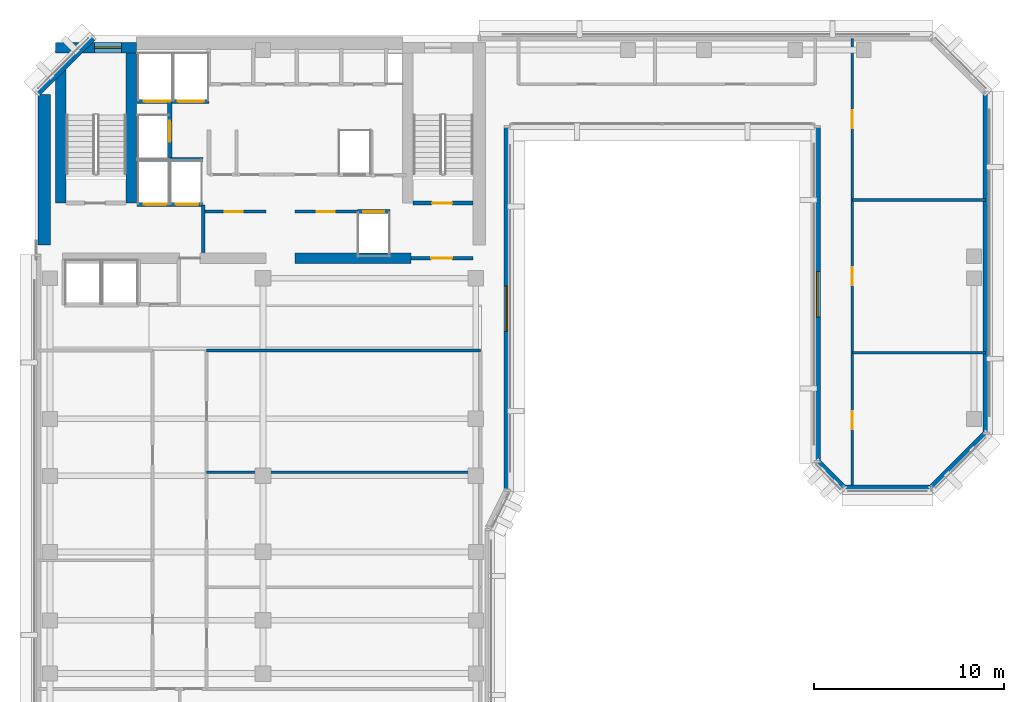
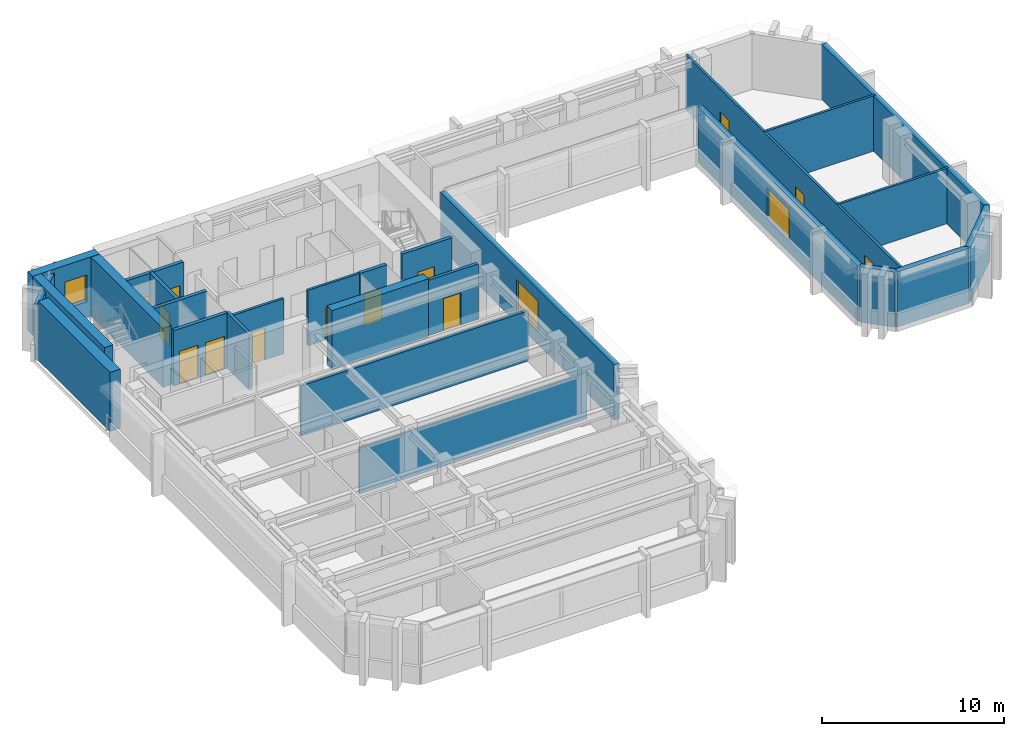
# One storey, part 6 of 11: 27 walls, 13 doors, 3 windows, 16 openings.
"""IFC4 building model written with IfcOpenShell, lengths in metres."""

from ifc_helpers import new_model, si_unit, direction, frame, frame_2d, origin, place, context, subcontext, project, spatial, rectangle, extrude, material, layer, layer_set, type_object, element, fill, save


model = new_model("IFC4")

# Units and contexts
model_context = context("Model", 3, precision=1e-05, world=origin(), true_north=direction((0.0, 1.0)))
body_context = subcontext(model_context, "Body", "Model", "MODEL_VIEW")
ifc_project = project(units=[si_unit("LENGTHUNIT", "METRE"), si_unit("AREAUNIT", "SQUARE_METRE"), si_unit("VOLUMEUNIT", "CUBIC_METRE"), si_unit("PLANEANGLEUNIT", "RADIAN"), si_unit("MASSUNIT", "GRAM", prefix="KILO")], contexts=[model_context])

# Site, building, storey
site_placement = place(None, origin())
site = spatial("IfcSite", under=ifc_project, at=site_placement, CompositionType="ELEMENT")
building_placement = place(site_placement, origin())
building = spatial("IfcBuilding", under=site, at=building_placement, Name="Kefirva Bronze Tower", CompositionType="ELEMENT")
storey_placement = place(building_placement, frame((0.0, 0.0, 243.5400390625)))
storey = spatial("IfcBuildingStorey", under=building, at=storey_placement, Name="L59", CompositionType="ELEMENT", Elevation=243.5400390625)

# Wall
ifc_material_1 = material(Name="Gypsum acoustic partition")
ifc_layer_1 = layer(ifc_material_1, 0.1298828125, Name="Gypsum acoustic partition")
ifc_layer_set_1 = layer_set([ifc_layer_1], Name="Gypsum acoustic partition")
wall_type_1 = type_object("IfcWallType", Name="Acoustic Office Partition 130mm", PredefinedType="PARTITIONING", material=ifc_layer_set_1)
wall_1_placement = place(storey_placement, frame((9.0400390625, 22.991943359375, 0.0), z_axis=(0.0, 0.0, 1.0), x_axis=(1.0, 0.0, 0.0)))
element("IfcWall", 1, at=wall_1_placement, inside=storey, type_object=wall_type_1, Name="L59 Partition W-L59-SED2", PredefinedType="PARTITIONING", context=body_context, shape_type="SweptSolid", body=[
    extrude(rectangle(XDim=14.409912109375, YDim=0.1298828125, at=frame_2d((7.205078125, 0.0))), origin(), (0.0, 0.0, 1.0), 3.094970703125),
])

# Wall, opening, door
ifc_layer_2 = layer(ifc_material_1, 0.14990234375, Name="Gypsum acoustic partition")
ifc_layer_set_2 = layer_set([ifc_layer_2], Name="Gypsum acoustic partition")
wall_type_2 = type_object("IfcWallType", Name="Executive Suite Partition 150mm", PredefinedType="PARTITIONING", material=ifc_layer_set_2)
wall_2_placement = place(storey_placement, frame((13.679931640625, 36.699951171875, 0.0), z_axis=(0.0, 0.0, 1.0), x_axis=(1.0, 0.0, 0.0)))
wall_2 = element("IfcWall", 2, at=wall_2_placement, inside=storey, type_object=wall_type_2, Name="L59 Partition W-L59-RECMP1", PredefinedType="PARTITIONING", context=body_context, shape_type="SweptSolid", body=[
    extrude(rectangle(XDim=3.280029296875, YDim=0.14990234375, at=frame_2d((1.64013671875, 0.0))), origin(), (0.0, 0.0, 1.0), 3.7099609375),
])
opening_1_placement = place(wall_2_placement, frame((1.14990234375, 0.0, 0.0)))
opening_1 = element("IfcOpeningElement", 3, at=opening_1_placement, cuts=wall_2, Name="Opening L59-D-RECMP1", PredefinedType="OPENING", context=body_context, shape_type="SweptSolid", body=[
    extrude(rectangle(XDim=0.949951171875, YDim=2.14990234375, at=frame_2d((0.47509765625, 1.074951171875))), frame((0.0, 0.0849609375, 0.0), z_axis=(0.0, -1.0, 0.0), x_axis=(1.0, 0.0, 0.0)), (0.0, 0.0, 1.0), 0.169921875),
])
ifc_material_2 = material(Name="Acoustic hardwood oak", Category="wood")
door_type_1 = type_object("IfcDoorType", Name="Office & Meeting Room Door 950x2150", OperationType="NOTDEFINED", PredefinedType="DOOR", material=ifc_material_2)
door_1_placement = place(opening_1_placement, origin())
door_1 = element("IfcDoor", 4, at=door_1_placement, inside=storey, type_object=door_type_1, Name="Door L59-D-RECMP1", OperationType="SINGLE_SWING_RIGHT", OverallHeight=2.14990234375, OverallWidth=0.949951171875, PredefinedType="DOOR", context=body_context, shape_type="SweptSolid", body=[
    extrude(rectangle(XDim=0.949951171875, YDim=2.14990234375, at=frame_2d((0.47509765625, 1.074951171875))), frame((0.0, 0.02490234375, 0.0), z_axis=(0.0, -1.0, 0.0), x_axis=(1.0, 0.0, 0.0)), (0.0, 0.0, 1.0), 0.050048828125),
])
fill(opening_1, door_1)

# Wall, openings, doors
wall_3_placement = place(storey_placement, frame((43.0, 22.18994140625, 0.0), z_axis=(0.0, 0.0, 1.0), x_axis=(0.0, 1.0, 0.0)))
wall_3 = element("IfcWall", 5, at=wall_3_placement, inside=storey, type_object=wall_type_2, Name="L59 Partition W-L59-PVEST", PredefinedType="PARTITIONING", context=body_context, shape_type="SweptSolid", body=[
    extrude(rectangle(XDim=23.6201171875, YDim=0.14990234375, at=frame_2d((11.81005859375, 0.0))), origin(), (0.0, 0.0, 1.0), 3.7099609375),
])
opening_2_placement = place(wall_3_placement, frame((3.068115234375, 0.0, 0.0)))
opening_2 = element("IfcOpeningElement", 6, at=opening_2_placement, cuts=wall_3, Name="Opening L59-D-EPV1", PredefinedType="OPENING", context=body_context, shape_type="SweptSolid", body=[
    extrude(rectangle(XDim=0.949951171875, YDim=2.14990234375, at=frame_2d((0.47509765625, 1.074951171875))), frame((0.0, 0.0849609375, 0.0), z_axis=(0.0, -1.0, 0.0), x_axis=(1.0, 0.0, 0.0)), (0.0, 0.0, 1.0), 0.169921875),
])
opening_3_placement = place(wall_3_placement, frame((10.62646484375, 0.0, 0.0)))
opening_3 = element("IfcOpeningElement", 7, at=opening_3_placement, cuts=wall_3, Name="Opening L59-D-EPV2", PredefinedType="OPENING", context=body_context, shape_type="SweptSolid", body=[
    extrude(rectangle(XDim=0.949951171875, YDim=2.14990234375, at=frame_2d((0.47509765625, 1.074951171875))), frame((0.0, 0.0849609375, 0.0), z_axis=(0.0, -1.0, 0.0), x_axis=(1.0, 0.0, 0.0)), (0.0, 0.0, 1.0), 0.169921875),
])
opening_4_placement = place(wall_3_placement, frame((18.893310546875, 0.0, 0.0)))
opening_4 = element("IfcOpeningElement", 8, at=opening_4_placement, cuts=wall_3, Name="Opening L59-D-EPV3", PredefinedType="OPENING", context=body_context, shape_type="SweptSolid", body=[
    extrude(rectangle(XDim=0.949951171875, YDim=2.14990234375, at=frame_2d((0.47509765625, 1.074951171875))), frame((0.0, 0.0849609375, 0.0), z_axis=(0.0, -1.0, 0.0), x_axis=(1.0, 0.0, 0.0)), (0.0, 0.0, 1.0), 0.169921875),
])
door_2_placement = place(opening_2_placement, origin())
door_2 = element("IfcDoor", 9, at=door_2_placement, inside=storey, type_object=door_type_1, Name="Door L59-D-EPV1", OperationType="SINGLE_SWING_LEFT", OverallHeight=2.14990234375, OverallWidth=0.949951171875, PredefinedType="DOOR", context=body_context, shape_type="SweptSolid", body=[
    extrude(rectangle(XDim=0.949951171875, YDim=2.14990234375, at=frame_2d((0.47509765625, 1.074951171875))), frame((0.0, 0.02490234375, 0.0), z_axis=(0.0, -1.0, 0.0), x_axis=(1.0, 0.0, 0.0)), (0.0, 0.0, 1.0), 0.050048828125),
])
fill(opening_2, door_2)
door_3_placement = place(opening_3_placement, origin())
door_3 = element("IfcDoor", 10, at=door_3_placement, inside=storey, type_object=door_type_1, Name="Door L59-D-EPV2", OperationType="SINGLE_SWING_RIGHT", OverallHeight=2.14990234375, OverallWidth=0.949951171875, PredefinedType="DOOR", context=body_context, shape_type="SweptSolid", body=[
    extrude(rectangle(XDim=0.949951171875, YDim=2.14990234375, at=frame_2d((0.47509765625, 1.074951171875))), frame((0.0, 0.02490234375, 0.0), z_axis=(0.0, -1.0, 0.0), x_axis=(1.0, 0.0, 0.0)), (0.0, 0.0, 1.0), 0.050048828125),
])
fill(opening_3, door_3)
door_4_placement = place(opening_4_placement, origin())
door_4 = element("IfcDoor", 11, at=door_4_placement, inside=storey, type_object=door_type_1, Name="Door L59-D-EPV3", OperationType="SINGLE_SWING_LEFT", OverallHeight=2.14990234375, OverallWidth=0.949951171875, PredefinedType="DOOR", context=body_context, shape_type="SweptSolid", body=[
    extrude(rectangle(XDim=0.949951171875, YDim=2.14990234375, at=frame_2d((0.47509765625, 1.074951171875))), frame((0.0, 0.02490234375, 0.0), z_axis=(0.0, -1.0, 0.0), x_axis=(1.0, 0.0, 0.0)), (0.0, 0.0, 1.0), 0.050048828125),
])
fill(opening_4, door_4)

# Walls
for number, where, z_axis, x_axis, name in (
    (12, (43.0, 29.27587890625, 0.0), (0.0, 0.0, 1.0), (1.0, 0.0, 0.0), "L59 Partition W-L59-EPVD1"),
    (13, (43.0, 37.306884765625, 0.0), (0.0, 0.0, 1.0), (1.0, 0.0, 0.0), "L59 Partition W-L59-EPVD2"),
):
    element("IfcWall", number, at=place(storey_placement, frame(where, z_axis=z_axis, x_axis=x_axis)), inside=storey, type_object=wall_type_2, Name=name, PredefinedType="PARTITIONING", context=body_context, shape_type="SweptSolid", body=[
        extrude(rectangle(XDim=7.010009765625, YDim=0.14990234375, at=frame_2d((3.5048828125, 0.0))), origin(), (0.0, 0.0, 1.0), 3.7099609375),
    ])

# Wall, opening, door
ifc_material_3 = material(Name="Gypsum fireboard shaftwall")
ifc_layer_3 = layer(ifc_material_3, 0.219970703125, Name="Gypsum fireboard shaftwall")
ifc_layer_set_3 = layer_set([ifc_layer_3], Name="Gypsum fireboard shaftwall")
wall_type_3 = type_object("IfcWallType", Name="Fire-Rated Shaft Enclosure Wall 220mm", PredefinedType="PARTITIONING", material=ifc_layer_set_3)
wall_4_placement = place(storey_placement, frame((19.89990234375, 37.14990234375, 0.0), z_axis=(0.0, 0.0, 1.0), x_axis=(1.0, 0.0, 0.0)))
wall_4 = element("IfcWall", 14, at=wall_4_placement, inside=storey, type_object=wall_type_3, Name="L59 Partition W-L59-ST2S", PredefinedType="PARTITIONING", context=body_context, shape_type="SweptSolid", body=[
    extrude(rectangle(XDim=3.150146484375, YDim=0.219970703125, at=frame_2d((1.5751953125, 0.0))), origin(), (0.0, 0.0, 1.0), 3.7099609375),
])
opening_5_placement = place(wall_4_placement, frame((2.050048828125, 0.0, 0.0), z_axis=(0.0, 0.0, 1.0), x_axis=(-1.0, 0.0, 0.0)))
opening_5 = element("IfcOpeningElement", 15, at=opening_5_placement, cuts=wall_4, Name="Opening L59-D003", PredefinedType="OPENING", context=body_context, shape_type="SweptSolid", body=[
    extrude(rectangle(XDim=1.050048828125, YDim=2.14990234375, at=frame_2d((0.52490234375, 1.074951171875))), frame((0.0, 0.1201171875, 0.0), z_axis=(0.0, -1.0, 0.0), x_axis=(1.0, 0.0, 0.0)), (0.0, 0.0, 1.0), 0.239990234375),
])
ifc_material_4 = material(Name="Painted galvanized steel", Category="steel")
door_type_2 = type_object("IfcDoorType", Name="Fire Stair Enclosure Door 1050x2150 FD90S", OperationType="NOTDEFINED", PredefinedType="DOOR", material=ifc_material_4)
door_5_placement = place(opening_5_placement, origin())
door_5 = element("IfcDoor", 16, at=door_5_placement, inside=storey, type_object=door_type_2, Name="Door L59-D003", OperationType="SINGLE_SWING_LEFT", OverallHeight=2.14990234375, OverallWidth=1.050048828125, PredefinedType="DOOR", context=body_context, shape_type="SweptSolid", body=[
    extrude(rectangle(XDim=1.050048828125, YDim=2.14990234375, at=frame_2d((0.52490234375, 1.074951171875))), frame((0.0, 0.02490234375, 0.0), z_axis=(0.0, -1.0, 0.0), x_axis=(1.0, 0.0, 0.0)), (0.0, 0.0, 1.0), 0.050048828125),
])
fill(opening_5, door_5)

# Wall, openings, doors
wall_5_placement = place(storey_placement, frame((5.3798828125, 37.080078125, 0.0), z_axis=(0.0, 0.0, 1.0), x_axis=(1.0, 0.0, 0.0)))
wall_5 = element("IfcWall", 17, at=wall_5_placement, inside=storey, type_object=wall_type_3, Name="L59 Partition W-L59-FFS", PredefinedType="PARTITIONING", context=body_context, shape_type="SweptSolid", body=[
    extrude(rectangle(XDim=3.460205078125, YDim=0.219970703125, at=frame_2d((1.72998046875, 0.0))), origin(), (0.0, 0.0, 1.0), 3.7099609375),
])
opening_6_placement = place(wall_5_placement, frame((1.550048828125, 0.0, 0.0), z_axis=(0.0, 0.0, 1.0), x_axis=(-1.0, 0.0, 0.0)))
opening_6 = element("IfcOpeningElement", 18, at=opening_6_placement, cuts=wall_5, Name="Opening L59-LD-FF1", PredefinedType="OPENING", context=body_context, shape_type="SweptSolid", body=[
    extrude(rectangle(XDim=1.199951171875, YDim=2.199951171875, at=frame_2d((0.60009765625, 1.10009765625))), frame((0.0, 0.1201171875, 0.0), z_axis=(0.0, -1.0, 0.0), x_axis=(1.0, 0.0, 0.0)), (0.0, 0.0, 1.0), 0.239990234375),
])
opening_7_placement = place(wall_5_placement, frame((3.219970703125, 0.0, 0.0), z_axis=(0.0, 0.0, 1.0), x_axis=(-1.0, 0.0, 0.0)))
opening_7 = element("IfcOpeningElement", 19, at=opening_7_placement, cuts=wall_5, Name="Opening L59-LD-FF2", PredefinedType="OPENING", context=body_context, shape_type="SweptSolid", body=[
    extrude(rectangle(XDim=1.199951171875, YDim=2.199951171875, at=frame_2d((0.60009765625, 1.10009765625))), frame((0.0, 0.1201171875, 0.0), z_axis=(0.0, -1.0, 0.0), x_axis=(1.0, 0.0, 0.0)), (0.0, 0.0, 1.0), 0.239990234375),
])
ifc_material_5 = material(Name="Stainless steel 316", Category="steel")
door_type_3 = type_object("IfcDoorType", Name="Firefighting Lift Sliding Door 1200x2200", OperationType="SLIDING_TO_RIGHT", PredefinedType="DOOR", material=ifc_material_5)
door_6_placement = place(opening_6_placement, origin())
door_6 = element("IfcDoor", 20, at=door_6_placement, inside=storey, type_object=door_type_3, Name="Door L59-LD-FF1", OperationType="SLIDING_TO_RIGHT", OverallHeight=2.199951171875, OverallWidth=1.199951171875, PredefinedType="DOOR", context=body_context, shape_type="SweptSolid", body=[
    extrude(rectangle(XDim=1.199951171875, YDim=2.199951171875, at=frame_2d((0.60009765625, 1.10009765625))), frame((0.0, 0.02490234375, 0.0), z_axis=(0.0, -1.0, 0.0), x_axis=(1.0, 0.0, 0.0)), (0.0, 0.0, 1.0), 0.050048828125),
])
fill(opening_6, door_6)
door_7_placement = place(opening_7_placement, origin())
door_7 = element("IfcDoor", 21, at=door_7_placement, inside=storey, type_object=door_type_3, Name="Door L59-LD-FF2", OperationType="SLIDING_TO_RIGHT", OverallHeight=2.199951171875, OverallWidth=1.199951171875, PredefinedType="DOOR", context=body_context, shape_type="SweptSolid", body=[
    extrude(rectangle(XDim=1.199951171875, YDim=2.199951171875, at=frame_2d((0.60009765625, 1.10009765625))), frame((0.0, 0.02490234375, 0.0), z_axis=(0.0, -1.0, 0.0), x_axis=(1.0, 0.0, 0.0)), (0.0, 0.0, 1.0), 0.050048828125),
])
fill(opening_7, door_7)

# Wall
wall_6_placement = place(storey_placement, frame((5.3798828125, 39.449951171875, 0.0), z_axis=(0.0, 0.0, 1.0), x_axis=(1.0, 0.0, 0.0)))
element("IfcWall", 22, at=wall_6_placement, inside=storey, type_object=wall_type_3, Name="L59 Partition W-L59-FFN", PredefinedType="PARTITIONING", context=body_context, shape_type="SweptSolid", body=[
    extrude(rectangle(XDim=3.460205078125, YDim=0.219970703125, at=frame_2d((1.72998046875, 0.0))), origin(), (0.0, 0.0, 1.0), 3.7099609375),
])

# Wall, openings, doors
wall_7_placement = place(storey_placement, frame((5.3798828125, 42.5, 0.0), z_axis=(0.0, 0.0, 1.0), x_axis=(1.0, 0.0, 0.0)))
wall_7 = element("IfcWall", 23, at=wall_7_placement, inside=storey, type_object=wall_type_3, Name="L59 Partition W-L59-SVS", PredefinedType="PARTITIONING", context=body_context, shape_type="SweptSolid", body=[
    extrude(rectangle(XDim=3.77001953125, YDim=0.219970703125, at=frame_2d((1.885009765625, 0.0))), origin(), (0.0, 0.0, 1.0), 3.7099609375),
])
opening_8_placement = place(wall_7_placement, frame((1.75, 0.0, 0.0), z_axis=(0.0, 0.0, 1.0), x_axis=(-1.0, 0.0, 0.0)))
opening_8 = element("IfcOpeningElement", 24, at=opening_8_placement, cuts=wall_7, Name="Opening L59-LD-SV1", PredefinedType="OPENING", context=body_context, shape_type="SweptSolid", body=[
    extrude(rectangle(XDim=1.39990234375, YDim=2.199951171875, at=frame_2d((0.699951171875, 1.10009765625))), frame((0.0, 0.1201171875, 0.0), z_axis=(0.0, -1.0, 0.0), x_axis=(1.0, 0.0, 0.0)), (0.0, 0.0, 1.0), 0.239990234375),
])
opening_9_placement = place(wall_7_placement, frame((3.52978515625, 0.0, 0.0), z_axis=(0.0, 0.0, 1.0), x_axis=(-1.0, 0.0, 0.0)))
opening_9 = element("IfcOpeningElement", 25, at=opening_9_placement, cuts=wall_7, Name="Opening L59-LD-SV2", PredefinedType="OPENING", context=body_context, shape_type="SweptSolid", body=[
    extrude(rectangle(XDim=1.39990234375, YDim=2.199951171875, at=frame_2d((0.699951171875, 1.10009765625))), frame((0.0, 0.1201171875, 0.0), z_axis=(0.0, -1.0, 0.0), x_axis=(1.0, 0.0, 0.0)), (0.0, 0.0, 1.0), 0.239990234375),
])
door_type_4 = type_object("IfcDoorType", Name="Goods Lift Bi-Parting Sliding Door 1400x2200", OperationType="SLIDING_TO_LEFT", PredefinedType="DOOR", material=ifc_material_5)
door_8_placement = place(opening_8_placement, origin())
door_8 = element("IfcDoor", 26, at=door_8_placement, inside=storey, type_object=door_type_4, Name="Door L59-LD-SV1", OperationType="SLIDING_TO_LEFT", OverallHeight=2.199951171875, OverallWidth=1.39990234375, PredefinedType="DOOR", context=body_context, shape_type="SweptSolid", body=[
    extrude(rectangle(XDim=1.39990234375, YDim=2.199951171875, at=frame_2d((0.699951171875, 1.10009765625))), frame((0.0, 0.02490234375, 0.0), z_axis=(0.0, -1.0, 0.0), x_axis=(1.0, 0.0, 0.0)), (0.0, 0.0, 1.0), 0.050048828125),
])
fill(opening_8, door_8)
door_9_placement = place(opening_9_placement, origin())
door_9 = element("IfcDoor", 27, at=door_9_placement, inside=storey, type_object=door_type_4, Name="Door L59-LD-SV2", OperationType="SLIDING_TO_LEFT", OverallHeight=2.199951171875, OverallWidth=1.39990234375, PredefinedType="DOOR", context=body_context, shape_type="SweptSolid", body=[
    extrude(rectangle(XDim=1.39990234375, YDim=2.199951171875, at=frame_2d((0.699951171875, 1.10009765625))), frame((0.0, 0.02490234375, 0.0), z_axis=(0.0, -1.0, 0.0), x_axis=(1.0, 0.0, 0.0)), (0.0, 0.0, 1.0), 0.050048828125),
])
fill(opening_9, door_9)

# Wall, opening, door
wall_8_placement = place(storey_placement, frame((7.10009765625, 39.52001953125, 0.0), z_axis=(0.0, 0.0, 1.0), x_axis=(0.0, 1.0, 0.0)))
wall_8 = element("IfcWall", 28, at=wall_8_placement, inside=storey, type_object=wall_type_3, Name="L59 Partition W-L59-HP3E", PredefinedType="PARTITIONING", context=body_context, shape_type="SweptSolid", body=[
    extrude(rectangle(XDim=2.929931640625, YDim=0.219970703125, at=frame_2d((1.46484375, 0.0))), origin(), (0.0, 0.0, 1.0), 3.7099609375),
])
opening_10_placement = place(wall_8_placement, frame((0.85009765625, 0.0, 0.0)))
opening_10 = element("IfcOpeningElement", 29, at=opening_10_placement, cuts=wall_8, Name="Opening L59-LD-HP3", PredefinedType="OPENING", context=body_context, shape_type="SweptSolid", body=[
    extrude(rectangle(XDim=1.10009765625, YDim=2.199951171875, at=frame_2d((0.550048828125, 1.10009765625))), frame((0.0, 0.1201171875, 0.0), z_axis=(0.0, -1.0, 0.0), x_axis=(1.0, 0.0, 0.0)), (0.0, 0.0, 1.0), 0.239990234375),
])
door_type_5 = type_object("IfcDoorType", Name="Passenger Lift Sliding Landing Door 1100x2200", OperationType="SLIDING_TO_LEFT", PredefinedType="DOOR", material=ifc_material_5)
door_10_placement = place(opening_10_placement, origin())
door_10 = element("IfcDoor", 30, at=door_10_placement, inside=storey, type_object=door_type_5, Name="Door L59-LD-HP3", OperationType="SLIDING_TO_LEFT", OverallHeight=2.199951171875, OverallWidth=1.10009765625, PredefinedType="DOOR", context=body_context, shape_type="SweptSolid", body=[
    extrude(rectangle(XDim=1.10009765625, YDim=2.199951171875, at=frame_2d((0.550048828125, 1.10009765625))), frame((0.0, 0.02490234375, 0.0), z_axis=(0.0, -1.0, 0.0), x_axis=(1.0, 0.0, 0.0)), (0.0, 0.0, 1.0), 0.050048828125),
])
fill(opening_10, door_10)

wall_9_placement = place(storey_placement, frame((16.97998046875, 36.699951171875, 0.0), z_axis=(0.0, 0.0, 1.0), x_axis=(1.0, 0.0, 0.0)))
wall_9 = element("IfcWall", 31, at=wall_9_placement, inside=storey, type_object=wall_type_3, Name="L59 Partition W-L59-HPS", PredefinedType="PARTITIONING", context=body_context, shape_type="SweptSolid", body=[
    extrude(rectangle(XDim=1.699951171875, YDim=0.219970703125, at=frame_2d((0.85009765625, 0.0))), origin(), (0.0, 0.0, 1.0), 3.7099609375),
])
opening_11_placement = place(wall_9_placement, frame((0.300048828125, 0.0, 0.0)))
opening_11 = element("IfcOpeningElement", 32, at=opening_11_placement, cuts=wall_9, Name="Opening L59-LD-HP1", PredefinedType="OPENING", context=body_context, shape_type="SweptSolid", body=[
    extrude(rectangle(XDim=1.10009765625, YDim=2.199951171875, at=frame_2d((0.550048828125, 1.10009765625))), frame((0.0, 0.1201171875, 0.0), z_axis=(0.0, -1.0, 0.0), x_axis=(1.0, 0.0, 0.0)), (0.0, 0.0, 1.0), 0.239990234375),
])
door_11_placement = place(opening_11_placement, origin())
door_11 = element("IfcDoor", 33, at=door_11_placement, inside=storey, type_object=door_type_5, Name="Door L59-LD-HP1", OperationType="SLIDING_TO_LEFT", OverallHeight=2.199951171875, OverallWidth=1.10009765625, PredefinedType="DOOR", context=body_context, shape_type="SweptSolid", body=[
    extrude(rectangle(XDim=1.10009765625, YDim=2.199951171875, at=frame_2d((0.550048828125, 1.10009765625))), frame((0.0, 0.02490234375, 0.0), z_axis=(0.0, -1.0, 0.0), x_axis=(1.0, 0.0, 0.0)), (0.0, 0.0, 1.0), 0.050048828125),
])
fill(opening_11, door_11)

# Wall
ifc_material_6 = material(Name="Gypsum fireboard barrier")
ifc_layer_4 = layer(ifc_material_6, 0.199951171875, Name="Gypsum fireboard barrier")
ifc_layer_set_4 = layer_set([ifc_layer_4], Name="Gypsum fireboard barrier")
wall_type_4 = type_object("IfcWallType", Name="Firefighting Lobby Barrier Wall 200mm", PredefinedType="PARTITIONING", material=ifc_layer_set_4)
wall_10_placement = place(storey_placement, frame((8.860107421875, 34.550048828125, 0.0), z_axis=(0.0, 0.0, 1.0), x_axis=(0.0, 1.0, 0.0)))
element("IfcWall", 34, at=wall_10_placement, inside=storey, type_object=wall_type_4, Name="L59 Partition W-L59-FFLE", PredefinedType="PARTITIONING", context=body_context, shape_type="SweptSolid", body=[
    extrude(rectangle(XDim=2.5, YDim=0.199951171875, at=frame_2d((1.25, 0.0))), origin(), (0.0, 0.0, 1.0), 3.7099609375),
])

# Wall, opening, door
wall_11_placement = place(storey_placement, frame((19.800048828125, 34.25, 0.0), z_axis=(0.0, 0.0, 1.0), x_axis=(1.0, 0.0, 0.0)))
wall_11 = element("IfcWall", 35, at=wall_11_placement, inside=storey, type_object=wall_type_4, Name="L59 Partition W-L59-ST2F", PredefinedType="PARTITIONING", context=body_context, shape_type="SweptSolid", body=[
    extrude(rectangle(XDim=3.25, YDim=0.199951171875, at=frame_2d((1.625, 0.0))), origin(), (0.0, 0.0, 1.0), 3.7099609375),
])
opening_12_placement = place(wall_11_placement, frame((2.150146484375, 0.0, 0.0), z_axis=(0.0, 0.0, 1.0), x_axis=(-1.0, 0.0, 0.0)))
opening_12 = element("IfcOpeningElement", 36, at=opening_12_placement, cuts=wall_11, Name="Opening L59-D004", PredefinedType="OPENING", context=body_context, shape_type="SweptSolid", body=[
    extrude(rectangle(XDim=1.10009765625, YDim=2.14990234375, at=frame_2d((0.550048828125, 1.074951171875))), frame((0.0, 0.10986328125, 0.0), z_axis=(0.0, -1.0, 0.0), x_axis=(1.0, 0.0, 0.0)), (0.0, 0.0, 1.0), 0.219970703125),
])
door_type_6 = type_object("IfcDoorType", Name="Firefighting Lobby Smoke Door 1100x2150 FD60S", OperationType="NOTDEFINED", PredefinedType="DOOR", material=ifc_material_4)
door_12_placement = place(opening_12_placement, origin())
door_12 = element("IfcDoor", 37, at=door_12_placement, inside=storey, type_object=door_type_6, Name="Door L59-D004", OperationType="SINGLE_SWING_RIGHT", OverallHeight=2.14990234375, OverallWidth=1.10009765625, PredefinedType="DOOR", context=body_context, shape_type="SweptSolid", body=[
    extrude(rectangle(XDim=1.10009765625, YDim=2.14990234375, at=frame_2d((0.550048828125, 1.074951171875))), frame((0.0, 0.02490234375, 0.0), z_axis=(0.0, -1.0, 0.0), x_axis=(1.0, 0.0, 0.0)), (0.0, 0.0, 1.0), 0.050048828125),
])
fill(opening_12, door_12)

# Wall, opening, window
ifc_material_7 = material(Name="Precast concrete C40/50", Category="concrete")
ifc_layer_5 = layer(ifc_material_7, 0.320068359375, Name="Precast concrete C40/50")
ifc_layer_set_5 = layer_set([ifc_layer_5], Name="Precast concrete C40/50")
wall_type_5 = type_object("IfcWallType", Name="Precast Insulated Exterior Wall 320mm", PredefinedType="SOLIDWALL", material=ifc_layer_set_5)
wall_12_placement = place(storey_placement, frame((24.840087890625, 22.054931640625, 0.0), z_axis=(0.0, 0.0, 1.0), x_axis=(0.0, 1.0, 0.0)))
wall_12 = element("IfcWall", 38, at=wall_12_placement, inside=storey, type_object=wall_type_5, Name="L59 Exterior Facade Wall 4", PredefinedType="SOLIDWALL", context=body_context, shape_type="SweptSolid", body=[
    extrude(rectangle(XDim=19.090087890625, YDim=0.320068359375, at=frame_2d((9.544921875, 0.0))), origin(), (0.0, 0.0, 1.0), 3.7099609375),
])
opening_13_placement = place(wall_12_placement, frame((8.344970703125, 0.0, 0.85009765625)))
opening_13 = element("IfcOpeningElement", 39, at=opening_13_placement, cuts=wall_12, Name="Opening WN-01", PredefinedType="OPENING", context=body_context, shape_type="SweptSolid", body=[
    extrude(rectangle(XDim=2.39990234375, YDim=2.050048828125, at=frame_2d((1.199951171875, 1.02490234375))), frame((0.0, 0.169921875, 0.0), z_axis=(0.0, -1.0, 0.0), x_axis=(1.0, 0.0, 0.0)), (0.0, 0.0, 1.0), 0.340087890625),
])
ifc_material_8 = material(Name="Laminated low-E double glazing", Category="glass")
window_type_1 = type_object("IfcWindowType", Name="Streamline Ribbon Window 2400x2050", PartitioningType="SINGLE_PANEL", PredefinedType="WINDOW", material=ifc_material_8)
window_1_placement = place(opening_13_placement, origin())
window_1 = element("IfcWindow", 40, at=window_1_placement, inside=storey, type_object=window_type_1, Name="L59 Ribbon Window 4", OverallHeight=2.050048828125, OverallWidth=2.39990234375, PartitioningType="SINGLE_PANEL", PredefinedType="WINDOW", context=body_context, shape_type="SweptSolid", body=[
    extrude(rectangle(XDim=2.39990234375, YDim=2.050048828125, at=frame_2d((1.199951171875, 1.02490234375))), frame((0.0, 0.030029296875, 0.0), z_axis=(0.0, -1.0, 0.0), x_axis=(1.0, 0.0, 0.0)), (0.0, 0.0, 1.0), 0.06005859375),
])
fill(opening_13, window_1)

wall_13_placement = place(storey_placement, frame((41.159912109375, 41.14501953125, 0.0), z_axis=(0.0, 0.0, 1.0), x_axis=(0.0, -1.0, 0.0)))
wall_13 = element("IfcWall", 41, at=wall_13_placement, inside=storey, type_object=wall_type_5, Name="L59 Exterior Facade Wall 5", PredefinedType="SOLIDWALL", context=body_context, shape_type="SweptSolid", body=[
    extrude(rectangle(XDim=17.590087890625, YDim=0.320068359375, at=frame_2d((8.794921875, 0.0))), origin(), (0.0, 0.0, 1.0), 3.7099609375),
])
opening_14_placement = place(wall_13_placement, frame((7.594970703125, 0.0, 0.85009765625)))
opening_14 = element("IfcOpeningElement", 42, at=opening_14_placement, cuts=wall_13, Name="Opening WN-01", PredefinedType="OPENING", context=body_context, shape_type="SweptSolid", body=[
    extrude(rectangle(XDim=2.39990234375, YDim=2.050048828125, at=frame_2d((1.199951171875, 1.02490234375))), frame((0.0, 0.169921875, 0.0), z_axis=(0.0, -1.0, 0.0), x_axis=(1.0, 0.0, 0.0)), (0.0, 0.0, 1.0), 0.340087890625),
])
window_2_placement = place(opening_14_placement, origin())
window_2 = element("IfcWindow", 43, at=window_2_placement, inside=storey, type_object=window_type_1, Name="L59 Ribbon Window 5", OverallHeight=2.050048828125, OverallWidth=2.39990234375, PartitioningType="SINGLE_PANEL", PredefinedType="WINDOW", context=body_context, shape_type="SweptSolid", body=[
    extrude(rectangle(XDim=2.39990234375, YDim=2.050048828125, at=frame_2d((1.199951171875, 1.02490234375))), frame((0.0, 0.030029296875, 0.0), z_axis=(0.0, -1.0, 0.0), x_axis=(1.0, 0.0, 0.0)), (0.0, 0.0, 1.0), 0.06005859375),
])
fill(opening_14, window_2)

# Walls
wall_14_placement = place(storey_placement, frame((41.152099609375, 23.57421875, 0.0), z_axis=(0.0, 0.0, 1.0), x_axis=(0.707106781187, -0.707106781187, 0.0)))
element("IfcWall", 44, at=wall_14_placement, inside=storey, type_object=wall_type_5, Name="L59 Exterior Facade Wall 6", PredefinedType="SOLIDWALL", context=body_context, shape_type="SweptSolid", body=[
    extrude(rectangle(XDim=2.01123046875, YDim=0.320068359375, at=frame_2d((1.005615234375, 0.0))), origin(), (0.0, 0.0, 1.0), 3.7099609375),
])
wall_15_placement = place(storey_placement, frame((42.554931640625, 22.159912109375, 0.0), z_axis=(0.0, 0.0, 1.0), x_axis=(1.0, 0.0, 0.0)))
element("IfcWall", 45, at=wall_15_placement, inside=storey, type_object=wall_type_5, Name="L59 Exterior Facade Wall 7", PredefinedType="SOLIDWALL", context=body_context, shape_type="SweptSolid", body=[
    extrude(rectangle(XDim=4.590087890625, YDim=0.320068359375, at=frame_2d((2.294921875, 0.0))), origin(), (0.0, 0.0, 1.0), 3.7099609375),
])
wall_16_placement = place(storey_placement, frame((47.125732421875, 22.152099609375, 0.0), z_axis=(0.0, 0.0, 1.0), x_axis=(0.707136318428, 0.707077242712, 0.0)))
element("IfcWall", 46, at=wall_16_placement, inside=storey, type_object=wall_type_5, Name="L59 Exterior Facade Wall 8", PredefinedType="SOLIDWALL", context=body_context, shape_type="SweptSolid", body=[
    extrude(rectangle(XDim=4.132568359375, YDim=0.320068359375, at=frame_2d((2.06640625, 0.0))), origin(), (0.0, 0.0, 1.0), 3.7099609375),
])
wall_17_placement = place(storey_placement, frame((50.0400390625, 25.054931640625, 0.0), z_axis=(0.0, 0.0, 1.0), x_axis=(0.0, 1.0, 0.0)))
element("IfcWall", 47, at=wall_17_placement, inside=storey, type_object=wall_type_5, Name="L59 Exterior Facade Wall 9", PredefinedType="SOLIDWALL", context=body_context, shape_type="SweptSolid", body=[
    extrude(rectangle(XDim=17.89013671875, YDim=0.320068359375, at=frame_2d((8.945068359375, 0.0))), origin(), (0.0, 0.0, 1.0), 3.7099609375),
])
wall_18_placement = place(storey_placement, frame((3.07421875, 45.847900390625, 0.0), z_axis=(0.0, 0.0, 1.0), x_axis=(-0.707106781187, -0.707106781187, 0.0)))
element("IfcWall", 48, at=wall_18_placement, inside=storey, type_object=wall_type_5, Name="L59 Exterior Facade Wall 12", PredefinedType="SOLIDWALL", context=body_context, shape_type="SweptSolid", body=[
    extrude(rectangle(XDim=4.132568359375, YDim=0.320068359375, at=frame_2d((2.06640625, 0.0))), origin(), (0.0, 0.0, 1.0), 3.7099609375),
])

# Wall, opening, door
ifc_layer_6 = layer(ifc_material_1, 0.159912109375, Name="Gypsum acoustic partition")
ifc_layer_set_6 = layer_set([ifc_layer_6], Name="Gypsum acoustic partition")
wall_type_6 = type_object("IfcWallType", Name="Protected Corridor Partition 160mm", PredefinedType="PARTITIONING", material=ifc_layer_set_6)
wall_19_placement = place(storey_placement, frame((8.89990234375, 36.699951171875, 0.0), z_axis=(0.0, 0.0, 1.0), x_axis=(1.0, 0.0, 0.0)))
wall_19 = element("IfcWall", 49, at=wall_19_placement, inside=storey, type_object=wall_type_6, Name="L59 Partition W-L59-RECLP1", PredefinedType="PARTITIONING", context=body_context, shape_type="SweptSolid", body=[
    extrude(rectangle(XDim=3.25, YDim=0.159912109375, at=frame_2d((1.625, 0.0))), origin(), (0.0, 0.0, 1.0), 3.7099609375),
])
opening_15_placement = place(wall_19_placement, frame((1.10009765625, 0.0, 0.0)))
opening_15 = element("IfcOpeningElement", 50, at=opening_15_placement, cuts=wall_19, Name="Opening L59-D-RECLP1", PredefinedType="OPENING", context=body_context, shape_type="SweptSolid", body=[
    extrude(rectangle(XDim=0.949951171875, YDim=2.14990234375, at=frame_2d((0.47509765625, 1.074951171875))), frame((0.0, 0.08984375, 0.0), z_axis=(0.0, -1.0, 0.0), x_axis=(1.0, 0.0, 0.0)), (0.0, 0.0, 1.0), 0.179931640625),
])
door_13_placement = place(opening_15_placement, origin())
door_13 = element("IfcDoor", 51, at=door_13_placement, inside=storey, type_object=door_type_1, Name="Door L59-D-RECLP1", OperationType="SINGLE_SWING_LEFT", OverallHeight=2.14990234375, OverallWidth=0.949951171875, PredefinedType="DOOR", context=body_context, shape_type="SweptSolid", body=[
    extrude(rectangle(XDim=0.949951171875, YDim=2.14990234375, at=frame_2d((0.47509765625, 1.074951171875))), frame((0.0, 0.02490234375, 0.0), z_axis=(0.0, -1.0, 0.0), x_axis=(1.0, 0.0, 0.0)), (0.0, 0.0, 1.0), 0.050048828125),
])
fill(opening_15, door_13)

# Wall
wall_20_placement = place(storey_placement, frame((9.0400390625, 29.39990234375, 0.0), z_axis=(0.0, 0.0, 1.0), x_axis=(1.0, 0.0, 0.0)))
element("IfcWall", 52, at=wall_20_placement, inside=storey, type_object=wall_type_6, Name="L59 Partition W-L59-NET", PredefinedType="PARTITIONING", context=body_context, shape_type="SweptSolid", body=[
    extrude(rectangle(XDim=14.409912109375, YDim=0.159912109375, at=frame_2d((7.205078125, 0.0))), origin(), (0.0, 0.0, 1.0), 3.364990234375),
])

# Wall, opening, window
ifc_material_9 = material(Name="Concrete C50/60", Category="concrete")
ifc_layer_7 = layer(ifc_material_9, 0.550048828125, Name="Concrete C50/60")
ifc_layer_set_7 = layer_set([ifc_layer_7], Name="Concrete C50/60")
wall_type_7 = type_object("IfcWallType", Name="RC Rear Core Exterior Wall 550mm", PredefinedType="SHEAR", material=ifc_layer_set_7)
wall_21_placement = place(storey_placement, frame((1.10009765625, 45.320068359375, 0.0), z_axis=(0.0, 0.0, 1.0), x_axis=(1.0, 0.0, 0.0)))
wall_21 = element("IfcWall", 53, at=wall_21_placement, inside=storey, type_object=wall_type_7, Name="L59 Stair 1 North Shear Wall", PredefinedType="SHEAR", context=body_context, shape_type="SweptSolid", body=[
    extrude(rectangle(XDim=4.239990234375, YDim=0.550048828125, at=frame_2d((2.1201171875, 0.0))), origin(), (0.0, 0.0, 1.0), 3.9599609375),
])
opening_16_placement = place(wall_21_placement, frame((2.050048828125, 0.0, 1.050048828125)))
opening_16 = element("IfcOpeningElement", 54, at=opening_16_placement, cuts=wall_21, Name="Opening WN-03", PredefinedType="OPENING", context=body_context, shape_type="SweptSolid", body=[
    extrude(rectangle(XDim=1.39990234375, YDim=1.800048828125, at=frame_2d((0.699951171875, 0.89990234375))), frame((0.0, 0.28515625, 0.0), z_axis=(0.0, -1.0, 0.0), x_axis=(1.0, 0.0, 0.0)), (0.0, 0.0, 1.0), 0.570068359375),
])
window_type_2 = type_object("IfcWindowType", Name="Rear-Core Stair Daylight Window 1400x1800", PartitioningType="SINGLE_PANEL", PredefinedType="WINDOW", material=ifc_material_8)
window_3_placement = place(opening_16_placement, origin())
window_3 = element("IfcWindow", 55, at=window_3_placement, inside=storey, type_object=window_type_2, Name="L59 Stair 1 Daylight Window", OverallHeight=1.800048828125, OverallWidth=1.39990234375, PartitioningType="SINGLE_PANEL", PredefinedType="WINDOW", context=body_context, shape_type="SweptSolid", body=[
    extrude(rectangle(XDim=1.39990234375, YDim=1.800048828125, at=frame_2d((0.699951171875, 0.89990234375))), frame((0.0, 0.030029296875, 0.0), z_axis=(0.0, -1.0, 0.0), x_axis=(1.0, 0.0, 0.0)), (0.0, 0.0, 1.0), 0.06005859375),
])
fill(opening_16, window_3)

# Walls
ifc_layer_8 = layer(ifc_material_9, 0.64990234375, Name="Concrete C50/60")
ifc_layer_set_8 = layer_set([ifc_layer_8], Name="Concrete C50/60")
wall_type_8 = type_object("IfcWallType", Name="RC Rear Core Exterior Wall 650mm", PredefinedType="SHEAR", material=ifc_layer_set_8)
wall_22_placement = place(storey_placement, frame((0.5, 34.949951171875, 0.0), z_axis=(0.0, 0.0, 1.0), x_axis=(0.0, 1.0, 0.0)))
element("IfcWall", 56, at=wall_22_placement, inside=storey, type_object=wall_type_8, Name="L59 Rear Core West Shear Wall", PredefinedType="SHEAR", context=body_context, shape_type="SweptSolid", body=[
    extrude(rectangle(XDim=7.900146484375, YDim=0.64990234375, at=frame_2d((3.9501953125, 0.0))), origin(), (0.0, 0.0, 1.0), 3.9599609375),
])
ifc_layer_9 = layer(ifc_material_9, 0.550048828125, Name="Concrete C50/60")
ifc_layer_set_9 = layer_set([ifc_layer_9], Name="Concrete C50/60")
wall_type_9 = type_object("IfcWallType", Name="RC Rear Core Interior Wall 550mm", PredefinedType="SHEAR", material=ifc_layer_set_9)
for number, where, z_axis, x_axis, name in (
    (57, (1.3701171875, 37.14990234375, 0.0), (0.0, 0.0, 1.0), (0.0, 1.0, 0.0), "L59 Stair 1 West Shear Wall"),
    (58, (5.070068359375, 37.14990234375, 0.0), (0.0, 0.0, 1.0), (0.0, 1.0, 0.0), "L59 Stair 1 East Shear Wall"),
):
    element("IfcWall", number, at=place(storey_placement, frame(where, z_axis=z_axis, x_axis=x_axis)), inside=storey, type_object=wall_type_9, Name=name, PredefinedType="SHEAR", context=body_context, shape_type="SweptSolid", body=[
        extrude(rectangle(XDim=7.89013671875, YDim=0.550048828125, at=frame_2d((3.945068359375, 0.0))), origin(), (0.0, 0.0, 1.0), 3.9599609375),
    ])
ifc_layer_10 = layer(ifc_material_9, 0.64990234375, Name="Concrete C50/60")
ifc_layer_set_10 = layer_set([ifc_layer_10], Name="Concrete C50/60")
wall_type_10 = type_object("IfcWallType", Name="RC Rear Core Interior Wall 650mm", PredefinedType="SHEAR", material=ifc_layer_set_10)
wall_23_placement = place(storey_placement, frame((13.679931640625, 34.25, 0.0), z_axis=(0.0, 0.0, 1.0), x_axis=(1.0, 0.0, 0.0)))
element("IfcWall", 59, at=wall_23_placement, inside=storey, type_object=wall_type_10, Name="L59 Rear Core South-East Shear Wall", PredefinedType="SHEAR", context=body_context, shape_type="SweptSolid", body=[
    extrude(rectangle(XDim=6.1201171875, YDim=0.550048828125, at=frame_2d((3.06005859375, 0.0))), origin(), (0.0, 0.0, 1.0), 3.9599609375),
])

save(model, "model.ifc")
